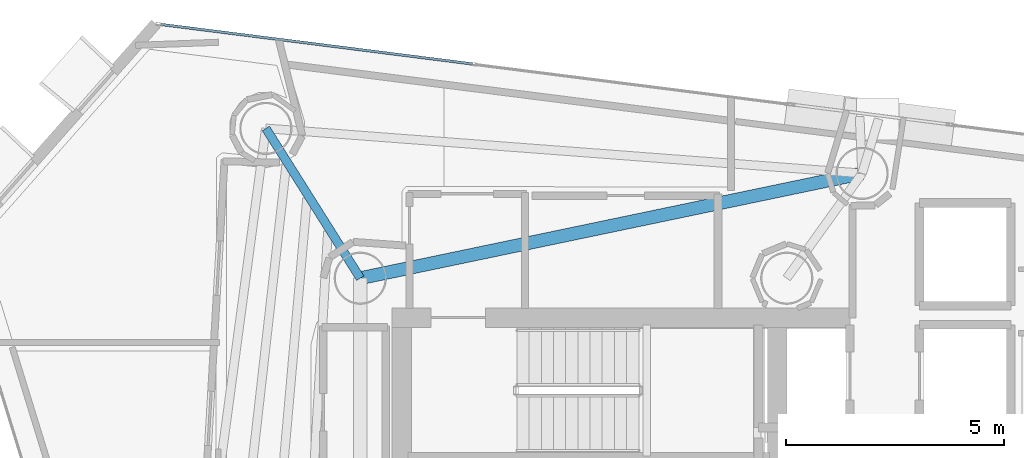
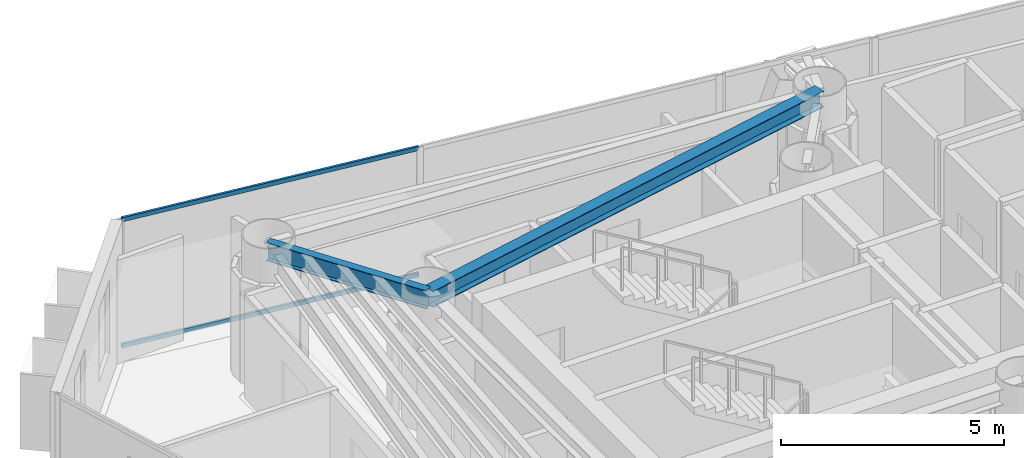
# One storey, part 11 of 23: 2 beams, 2 members, 1 element without a shape of its own.
"""IFC4 building model written with IfcOpenShell, lengths in metres."""

from ifc_helpers import new_model, si_unit, direction, frame, origin, origin_2d, place, context, subcontext, project, spatial, hollow_rectangle, i_section, extrude, material, layer, layer_set, material_profile, profile_set, type_object, element, aggregate, save


model = new_model("IFC4")

# Units and contexts
model_context = context("Model", 3, precision=1e-05, world=origin(), true_north=direction((0.0, 1.0)))
body_context = subcontext(model_context, "Body", "Model", "MODEL_VIEW")
ifc_project = project(units=[si_unit("LENGTHUNIT", "METRE"), si_unit("AREAUNIT", "SQUARE_METRE"), si_unit("VOLUMEUNIT", "CUBIC_METRE"), si_unit("PLANEANGLEUNIT", "RADIAN"), si_unit("MASSUNIT", "GRAM", prefix="KILO")], contexts=[model_context])

# Site, building, storey
site_placement = place(None, origin())
site = spatial("IfcSite", under=ifc_project, at=site_placement, CompositionType="ELEMENT")
building_placement = place(site_placement, origin())
building = spatial("IfcBuilding", under=site, at=building_placement, Name="Qianvela Tower", CompositionType="ELEMENT")
storey_placement = place(building_placement, frame((0.0, 0.0, 218.800048828125)))
storey = spatial("IfcBuildingStorey", under=building, at=storey_placement, Name="L56", CompositionType="ELEMENT", Elevation=218.800048828125)

# Beams
ifc_material_1 = material(Name="Steel Q355B", Category="steel")
ifc_material_profile_1 = material_profile(ifc_material_1, i_section(OverallWidth=0.300048828125, OverallDepth=0.43994140625, WebThickness=0.010986328125, FlangeThickness=0.01806640625, at=origin_2d()), Name="HM440x300x11x18")
ifc_profile_set_1 = profile_set([ifc_material_profile_1], Name="Steel Q355B")
beam_type_1 = type_object("IfcBeamType", Name="BM-HM440-COLL", PredefinedType="BEAM", material=ifc_profile_set_1)
beam_1_placement = place(storey_placement, frame((28.60009765625, 33.550048828125, 3.2978515625), z_axis=(0.978884270582, 0.204415226456, 0.0), x_axis=(-0.204415226456, 0.978884270582, 0.0)))
element("IfcBeam", 1, at=beam_1_placement, inside=storey, type_object=beam_type_1, Name="L56 Perimeter Ring Tie Girder 1B", PredefinedType="BEAM", context=body_context, shape_type="SweptSolid", body=[
    extrude(i_section(OverallWidth=0.300048828125, OverallDepth=0.43994140625, WebThickness=0.010986328125, FlangeThickness=0.01806640625, at=origin_2d()), origin(), (0.0, 0.0, 1.0), 11.77978515625),
])
ifc_material_2 = material(Name="Steel Q355B", Category="steel")
ifc_material_profile_2 = material_profile(ifc_material_2, i_section(OverallWidth=0.199951171875, OverallDepth=0.5, WebThickness=0.010009765625, FlangeThickness=0.01611328125, at=origin_2d()), Name="HN500x200x10x16")
ifc_profile_set_2 = profile_set([ifc_material_profile_2], Name="Steel Q355B")
beam_type_2 = type_object("IfcBeamType", Name="BM-HN500-GIRD", PredefinedType="BEAM", material=ifc_profile_set_2)
beam_2_placement = place(storey_placement, frame((28.60009765625, 33.550048828125, 3.26806640625), z_axis=(-0.533177693809, 0.846003278258, 0.0), x_axis=(-0.846003278258, -0.533177693809, 0.0)))
element("IfcBeam", 2, at=beam_2_placement, inside=storey, type_object=beam_type_2, Name="L56 Radial Primary Floor Girder 3", PredefinedType="BEAM", context=body_context, shape_type="SweptSolid", body=[
    extrude(i_section(OverallWidth=0.199951171875, OverallDepth=0.5, WebThickness=0.010009765625, FlangeThickness=0.01611328125, at=origin_2d()), origin(), (0.0, 0.0, 1.0), 4.068359375),
])

# Curtain wall, members
ifc_material_3 = material(Name="Anodised Architectural Aluminium and Low-E Glass", Category="aluminium")
ifc_layer = layer(ifc_material_3, 0.159912109375)
ifc_layer_set = layer_set([ifc_layer], Name="Anodised Architectural Aluminium and Low-E Glass")
curtain_wall_type = type_object("IfcCurtainWallType", Name="CW-COLIV-Z56", PredefinedType="USERDEFINED", material=ifc_layer_set)
curtain_wall_placement = place(storey_placement, origin())
curtain_wall = element("IfcCurtainWall", 3, at=curtain_wall_placement, inside=storey, type_object=curtain_wall_type, Name="L56 CW-COLIV-Z56 Curtain Wall 02C", ObjectType="CURTAIN_WALL_SYSTEM", PredefinedType="USERDEFINED")
ifc_material_4 = material(Name="Anodised Architectural Aluminium 6063-T6", Category="aluminium")
ifc_material_profile_3 = material_profile(ifc_material_4, hollow_rectangle(XDim=0.06005859375, YDim=0.114990234375, WallThickness=0.00390625, at=origin_2d()), Name="ALU-TRAN-60x115")
ifc_profile_set_3 = profile_set([ifc_material_profile_3], Name="Anodised Architectural Aluminium 6063-T6")
member_type = type_object("IfcMemberType", Name="CW-COLIV-Z56-TRAN", PredefinedType="USERDEFINED", material=ifc_profile_set_3)
member_1_placement = place(storey_placement, frame((31.179931640625, 38.47314453125, 0.030029296875), z_axis=(-0.992041036238, 0.125914980918, 0.0), x_axis=(-0.125914980918, -0.992041036238, 0.0)))
member_1 = element("IfcMember", 4, at=member_1_placement, type_object=member_type, Name="CW-5 transom 2.1", ObjectType="TRANSOM", PredefinedType="USERDEFINED", context=body_context, shape_type="SweptSolid", body=[
    extrude(hollow_rectangle(XDim=0.06005859375, YDim=0.114990234375, WallThickness=0.00390625, at=origin_2d()), origin(), (0.0, 0.0, 1.0), 7.222412109375),
])
member_2_placement = place(storey_placement, frame((31.179931640625, 38.47314453125, 3.489990234375), z_axis=(-0.992041036238, 0.125914980918, 0.0), x_axis=(-0.125914980918, -0.992041036238, 0.0)))
member_2 = element("IfcMember", 5, at=member_2_placement, type_object=member_type, Name="CW-5 transom 2.2", ObjectType="TRANSOM", PredefinedType="USERDEFINED", context=body_context, shape_type="SweptSolid", body=[
    extrude(hollow_rectangle(XDim=0.06005859375, YDim=0.114990234375, WallThickness=0.00390625, at=origin_2d()), origin(), (0.0, 0.0, 1.0), 7.222412109375),
])
aggregate(curtain_wall, [member_1, member_2])

save(model, "model.ifc")
